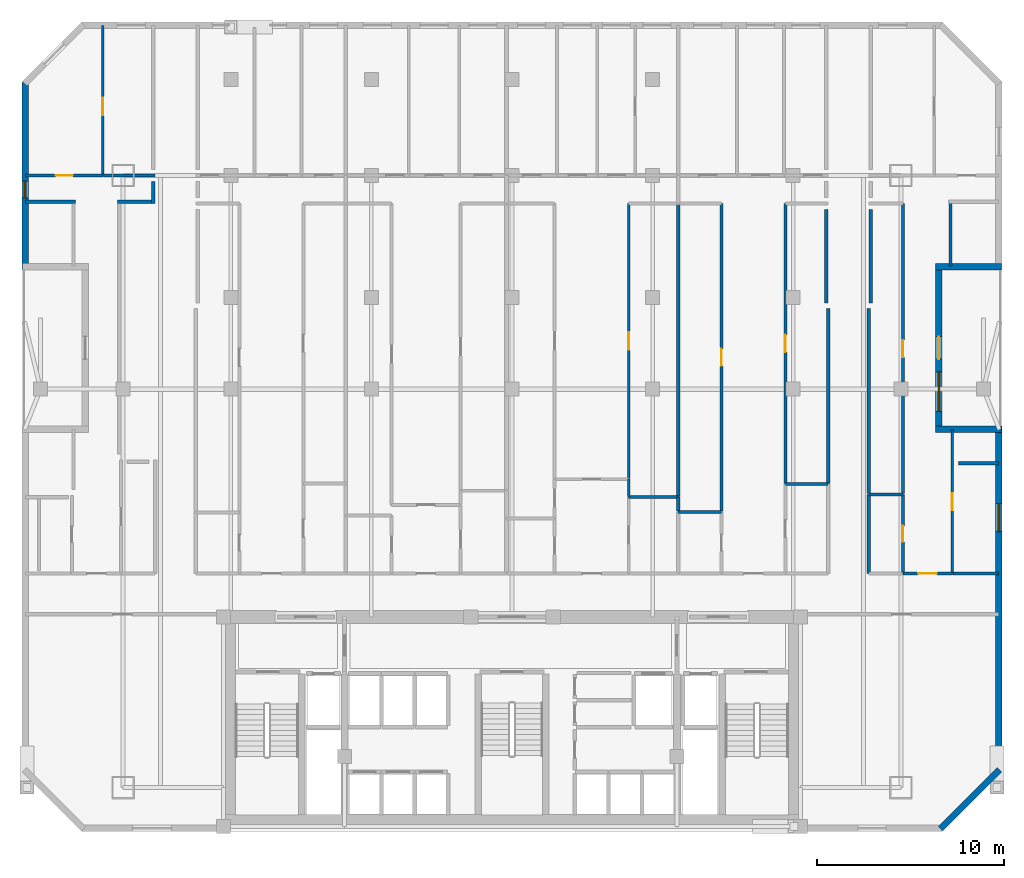
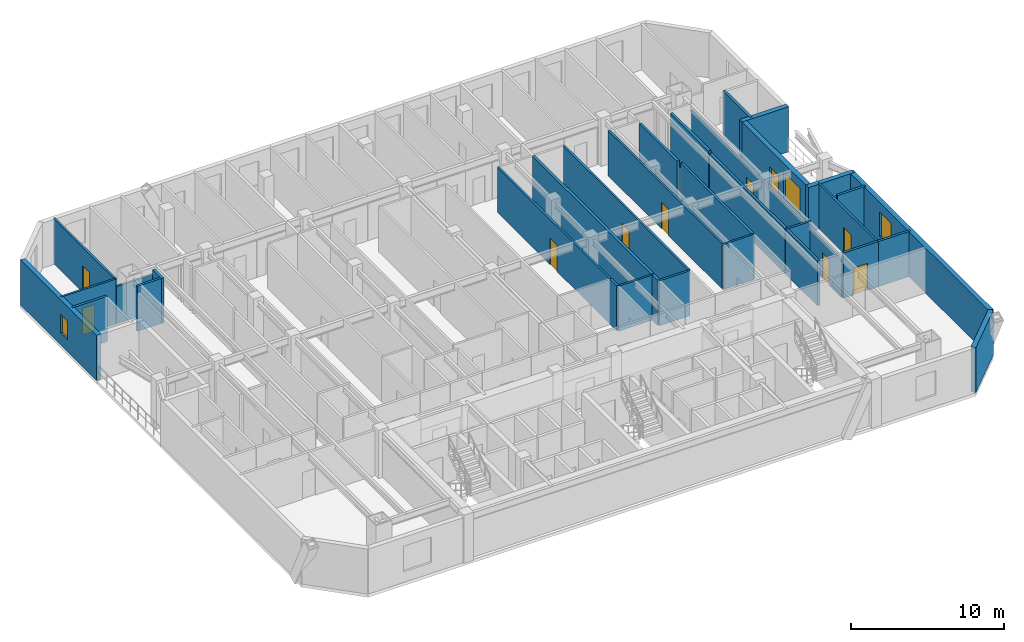
# One storey, part 6 of 11: 34 walls, 10 doors, 3 windows, 13 openings.
"""IFC4 building model written with IfcOpenShell, lengths in metres."""

from ifc_helpers import new_model, si_unit, direction, frame, frame_2d, origin, place, context, subcontext, project, spatial, rectangle, extrude, material, layer, layer_set, type_object, element, fill, save


model = new_model("IFC4")

# Units and contexts
model_context = context("Model", 3, precision=1e-05, world=origin(), true_north=direction((0.0, 1.0)))
body_context = subcontext(model_context, "Body", "Model", "MODEL_VIEW")
ifc_project = project(units=[si_unit("LENGTHUNIT", "METRE"), si_unit("AREAUNIT", "SQUARE_METRE"), si_unit("VOLUMEUNIT", "CUBIC_METRE"), si_unit("PLANEANGLEUNIT", "RADIAN"), si_unit("MASSUNIT", "GRAM", prefix="KILO")], contexts=[model_context])

# Site, building, storey
site_placement = place(None, origin())
site = spatial("IfcSite", under=ifc_project, at=site_placement, CompositionType="ELEMENT")
building_placement = place(site_placement, origin())
building = spatial("IfcBuilding", under=site, at=building_placement, Name="Ventersveld Concourse Tower", CompositionType="ELEMENT")
storey_placement = place(building_placement, frame((0.0, 0.0, 119.550048828125)))
storey = spatial("IfcBuildingStorey", under=building, at=storey_placement, Name="L29", CompositionType="ELEMENT", Elevation=119.550048828125)

# Wall, opening, door
ifc_material_1 = material(Name="Fire-rated autoclaved aerated masonry blockwork", Category="masonry")
ifc_layer_1 = layer(ifc_material_1, 0.179931640625)
ifc_layer_set_1 = layer_set([ifc_layer_1], Name="Fire-rated autoclaved aerated masonry blockwork")
wall_type_1 = type_object("IfcWallType", Name="WL-CORR-180", PredefinedType="PARTITIONING", material=ifc_layer_set_1)
wall_1_placement = place(storey_placement, frame((49.599365234375, 13.77001953125, 0.0), z_axis=(0.0, 0.0, 1.0), x_axis=(1.0, 0.0, 0.0)))
wall_1 = element("IfcWall", 1, at=wall_1_placement, inside=storey, type_object=wall_type_1, Name="L29 Interior Partition SP-L29-COR-SP-L29-29NE-LIV", PredefinedType="PARTITIONING", context=body_context, shape_type="SweptSolid", body=[
    extrude(rectangle(XDim=2.635986328125, YDim=0.179931640625, at=frame_2d((1.31787109375, 0.0))), origin(), (0.0, 0.0, 1.0), 3.599853515625),
])
opening_1_placement = place(wall_1_placement, frame((0.818115234375, 0.0, 0.0)))
opening_1 = element("IfcOpeningElement", 2, at=opening_1_placement, cuts=wall_1, Name="Opening FD3", PredefinedType="OPENING", context=body_context, shape_type="SweptSolid", body=[
    extrude(rectangle(XDim=1.0, YDim=2.14990234375, at=frame_2d((0.5, 1.074951171875))), frame((0.0, 0.10009765625, 0.0), z_axis=(0.0, -1.0, 0.0), x_axis=(1.0, 0.0, 0.0)), (0.0, 0.0, 1.0), 0.199951171875),
])
ifc_material_2 = material(Name="Solid-core hardwood veneer timber", Category="wood")
door_type_1 = type_object("IfcDoorType", Name="DR-FLAT-100", OperationType="NOTDEFINED", PredefinedType="DOOR", material=ifc_material_2)
door_1_placement = place(opening_1_placement, origin())
door_1 = element("IfcDoor", 3, at=door_1_placement, inside=storey, type_object=door_type_1, Name="L29 Interior Door SP-L29-COR to SP-L29-29NE-LIV (FD-L29-1433)", OperationType="SINGLE_SWING_LEFT", OverallHeight=2.14990234375, OverallWidth=1.0, PredefinedType="DOOR", context=body_context, shape_type="SweptSolid", body=[
    extrude(rectangle(XDim=1.0, YDim=2.14990234375, at=frame_2d((0.5, 1.074951171875))), frame((0.0, 0.02490234375, 0.0), z_axis=(0.0, -1.0, 0.0), x_axis=(1.0, 0.0, 0.0)), (0.0, 0.0, 1.0), 0.050048828125),
])
fill(opening_1, door_1)

# Walls
wall_2_placement = place(storey_placement, frame((47.7900390625, 13.764892578125, 0.0), z_axis=(0.0, 0.0, 1.0), x_axis=(0.0, 1.0, 0.0)))
element("IfcWall", 4, at=wall_2_placement, inside=storey, type_object=wall_type_1, Name="L29 Interior Partition SP-L29-COR-SP-L29-29NE-BATH", PredefinedType="PARTITIONING", context=body_context, shape_type="SweptSolid", body=[
    extrude(rectangle(XDim=4.228515625, YDim=0.179931640625, at=frame_2d((2.1142578125, 0.0))), origin(), (0.0, 0.0, 1.0), 3.599853515625),
])
wall_3_placement = place(storey_placement, frame((47.7900390625, 18.0234375, 0.0), z_axis=(0.0, 0.0, 1.0), x_axis=(0.0, 1.0, 0.0)))
element("IfcWall", 5, at=wall_3_placement, inside=storey, type_object=wall_type_1, Name="L29 Interior Partition SP-L29-COR-SP-L29-29NE-OFFL0", PredefinedType="PARTITIONING", context=body_context, shape_type="SweptSolid", body=[
    extrude(rectangle(XDim=9.87158203125, YDim=0.179931640625, at=frame_2d((4.935791015625, 0.0))), origin(), (0.0, 0.0, 1.0), 3.599853515625),
])
wall_4_placement = place(storey_placement, frame((52.265380859375, 13.77001953125, 0.0), z_axis=(0.0, 0.0, 1.0), x_axis=(1.0, 0.0, 0.0)))
element("IfcWall", 6, at=wall_4_placement, inside=storey, type_object=wall_type_1, Name="L29 Interior Partition SP-L29-COR-SP-L29-29NE-KIT", PredefinedType="PARTITIONING", context=body_context, shape_type="SweptSolid", body=[
    extrude(rectangle(XDim=2.424560546875, YDim=0.179931640625, at=frame_2d((1.21240234375, 0.0))), origin(), (0.0, 0.0, 1.0), 3.599853515625),
])
wall_5_placement = place(storey_placement, frame((45.610107421875, 18.5732421875, 0.0), z_axis=(0.0, 0.0, 1.0), x_axis=(0.0, 1.0, 0.0)))
element("IfcWall", 7, at=wall_5_placement, inside=storey, type_object=wall_type_1, Name="L29 Interior Partition SP-L29-COR-SP-L29-29N4-DENR", PredefinedType="PARTITIONING", context=body_context, shape_type="SweptSolid", body=[
    extrude(rectangle(XDim=9.32177734375, YDim=0.179931640625, at=frame_2d((4.660888671875, 0.0))), origin(), (0.0, 0.0, 1.0), 3.599853515625),
])
wall_6_placement = place(storey_placement, frame((5.45458984375, 33.590087890625, 0.0), z_axis=(0.0, 0.0, 1.0), x_axis=(-1.0, 0.0, 0.0)))
element("IfcWall", 8, at=wall_6_placement, inside=storey, type_object=wall_type_1, Name="L29 Room Enclosure Wall SP-L29-29NW-LIV", PredefinedType="PARTITIONING", context=body_context, shape_type="SweptSolid", body=[
    extrude(rectangle(XDim=2.64453125, YDim=0.179931640625, at=frame_2d((1.322265625, 0.0))), origin(), (0.0, 0.0, 1.0), 3.599853515625),
])
wall_7_placement = place(storey_placement, frame((9.6201171875, 34.675048828125, 0.0), z_axis=(0.0, 0.0, 1.0), x_axis=(0.0, -1.0, 0.0)))
element("IfcWall", 9, at=wall_7_placement, inside=storey, type_object=wall_type_1, Name="L29 Room Enclosure Wall SP-L29-29NW-LIV", PredefinedType="PARTITIONING", context=body_context, shape_type="SweptSolid", body=[
    extrude(rectangle(XDim=1.179931640625, YDim=0.179931640625, at=frame_2d((0.58984375, 0.0))), origin(), (0.0, 0.0, 1.0), 3.599853515625),
])
wall_8_placement = place(storey_placement, frame((9.715087890625, 33.590087890625, 0.0), z_axis=(0.0, 0.0, 1.0), x_axis=(-1.0, 0.0, 0.0)))
element("IfcWall", 10, at=wall_8_placement, inside=storey, type_object=wall_type_1, Name="L29 Room Enclosure Wall SP-L29-29NW-LIV", PredefinedType="PARTITIONING", context=body_context, shape_type="SweptSolid", body=[
    extrude(rectangle(XDim=2.00439453125, YDim=0.179931640625, at=frame_2d((1.002197265625, 0.0))), origin(), (0.0, 0.0, 1.0), 3.599853515625),
])
wall_9_placement = place(storey_placement, frame((52.140380859375, 33.68505859375, 0.0), z_axis=(0.0, 0.0, 1.0), x_axis=(0.0, -1.0, 0.0)))
element("IfcWall", 11, at=wall_9_placement, inside=storey, type_object=wall_type_1, Name="L29 Room Enclosure Wall SP-L29-29NE-LIV", PredefinedType="PARTITIONING", context=body_context, shape_type="SweptSolid", body=[
    extrude(rectangle(XDim=3.525146484375, YDim=0.179931640625, at=frame_2d((1.7626953125, 0.0))), origin(), (0.0, 0.0, 1.0), 3.599853515625),
])
wall_10_placement = place(storey_placement, frame((47.8798828125, 28.2099609375, 0.0), z_axis=(0.0, 0.0, 1.0), x_axis=(0.0, 1.0, 0.0)))
element("IfcWall", 12, at=wall_10_placement, inside=storey, type_object=wall_type_1, Name="L29 Room Enclosure Wall SP-L29-29NE-OFFL0", PredefinedType="PARTITIONING", context=body_context, shape_type="SweptSolid", body=[
    extrude(rectangle(XDim=4.965087890625, YDim=0.179931640625, at=frame_2d((2.482421875, 0.0))), origin(), (0.0, 0.0, 1.0), 3.599853515625),
])
wall_11_placement = place(storey_placement, frame((52.555419921875, 19.644287109375, 0.0), z_axis=(0.0, 0.0, 1.0), x_axis=(1.0, 0.0, 0.0)))
element("IfcWall", 13, at=wall_11_placement, inside=storey, type_object=wall_type_1, Name="L29 Room Enclosure Wall SP-L29-29NE-KIT", PredefinedType="PARTITIONING", context=body_context, shape_type="SweptSolid", body=[
    extrude(rectangle(XDim=2.134521484375, YDim=0.179931640625, at=frame_2d((1.0673828125, 0.0))), origin(), (0.0, 0.0, 1.0), 3.599853515625),
])
wall_12_placement = place(storey_placement, frame((45.52001953125, 33.175048828125, 0.0), z_axis=(0.0, 0.0, 1.0), x_axis=(0.0, -1.0, 0.0)))
element("IfcWall", 14, at=wall_12_placement, inside=storey, type_object=wall_type_1, Name="L29 Room Enclosure Wall SP-L29-29N4-DENR", PredefinedType="PARTITIONING", context=body_context, shape_type="SweptSolid", body=[
    extrude(rectangle(XDim=4.965087890625, YDim=0.179931640625, at=frame_2d((2.482421875, 0.0))), origin(), (0.0, 0.0, 1.0), 3.599853515625),
])
ifc_layer_2 = layer(ifc_material_1, 0.199951171875)
ifc_layer_set_2 = layer_set([ifc_layer_2], Name="Fire-rated autoclaved aerated masonry blockwork")
wall_type_2 = type_object("IfcWallType", Name="WL-DEMISE-200", PredefinedType="PARTITIONING", material=ifc_layer_set_2)
wall_13_placement = place(storey_placement, frame((37.620849609375, 17.09130859375, 0.0), z_axis=(0.0, 0.0, 1.0), x_axis=(0.0, 1.0, 0.0)))
element("IfcWall", 15, at=wall_13_placement, inside=storey, type_object=wall_type_2, Name="L29 Interior Partition SP-L29-29N3-KIT-SP-L29-29N4-DENL", PredefinedType="PARTITIONING", context=body_context, shape_type="SweptSolid", body=[
    extrude(rectangle(XDim=0.760986328125, YDim=0.199951171875, at=frame_2d((0.38037109375, 0.0))), origin(), (0.0, 0.0, 1.0), 3.599853515625),
])
wall_14_placement = place(storey_placement, frame((37.620849609375, 17.88232421875, 0.0), z_axis=(0.0, 0.0, 1.0), x_axis=(0.0, 1.0, 0.0)))
element("IfcWall", 16, at=wall_14_placement, inside=storey, type_object=wall_type_2, Name="L29 Interior Partition SP-L29-29N3-DENR-SP-L29-29N4-DENL", PredefinedType="PARTITIONING", context=body_context, shape_type="SweptSolid", body=[
    extrude(rectangle(XDim=15.582763671875, YDim=0.199951171875, at=frame_2d((7.79150390625, 0.0))), origin(), (0.0, 0.0, 1.0), 3.599853515625),
])

# Wall, opening, door
ifc_material_3 = material(Name="Autoclaved aerated masonry blockwork", Category="masonry")
ifc_layer_3 = layer(ifc_material_3, 0.14990234375)
ifc_layer_set_3 = layer_set([ifc_layer_3], Name="Autoclaved aerated masonry blockwork")
wall_type_3 = type_object("IfcWallType", Name="WL-INT-150", PredefinedType="PARTITIONING", material=ifc_layer_set_3)
wall_15_placement = place(storey_placement, frame((2.81005859375, 35.0, 0.0), z_axis=(0.0, 0.0, 1.0), x_axis=(1.0, 0.0, 0.0)))
wall_15 = element("IfcWall", 17, at=wall_15_placement, inside=storey, type_object=wall_type_3, Name="L29 Interior Partition SP-L29-29NW-LIV-SP-L29-29NW-BR1", PredefinedType="PARTITIONING", context=body_context, shape_type="SweptSolid", body=[
    extrude(rectangle(XDim=4.113037109375, YDim=0.14990234375, at=frame_2d((2.056640625, 0.0))), origin(), (0.0, 0.0, 1.0), 3.599853515625),
])
opening_2_placement = place(wall_15_placement, frame((1.5966796875, 0.0, 0.0)))
opening_2 = element("IfcOpeningElement", 18, at=opening_2_placement, cuts=wall_15, Name="Opening ID1", PredefinedType="OPENING", context=body_context, shape_type="SweptSolid", body=[
    extrude(rectangle(XDim=0.919921875, YDim=2.10009765625, at=frame_2d((0.4599609375, 1.050048828125))), frame((0.0, 0.0849609375, 0.0), z_axis=(0.0, -1.0, 0.0), x_axis=(1.0, 0.0, 0.0)), (0.0, 0.0, 1.0), 0.169921875),
])
door_type_2 = type_object("IfcDoorType", Name="DR-ROOM-092", OperationType="NOTDEFINED", PredefinedType="DOOR", material=ifc_material_2)
door_2_placement = place(opening_2_placement, origin())
door_2 = element("IfcDoor", 19, at=door_2_placement, inside=storey, type_object=door_type_2, Name="L29 Interior Door SP-L29-29NW-LIV to SP-L29-29NW-BR1 (D-L29-1440)", OperationType="SINGLE_SWING_RIGHT", OverallHeight=2.10009765625, OverallWidth=0.919921875, PredefinedType="DOOR", context=body_context, shape_type="SweptSolid", body=[
    extrude(rectangle(XDim=0.919921875, YDim=2.10009765625, at=frame_2d((0.4599609375, 1.050048828125))), frame((0.0, 0.02490234375, 0.0), z_axis=(0.0, -1.0, 0.0), x_axis=(1.0, 0.0, 0.0)), (0.0, 0.0, 1.0), 0.050048828125),
])
fill(opening_2, door_2)

# Wall
wall_16_placement = place(storey_placement, frame((6.953125, 35.0, 0.0), z_axis=(0.0, 0.0, 1.0), x_axis=(1.0, 0.0, 0.0)))
element("IfcWall", 20, at=wall_16_placement, inside=storey, type_object=wall_type_3, Name="L29 Interior Partition SP-L29-29NW-LIV-SP-L29-29NW-BR2", PredefinedType="PARTITIONING", context=body_context, shape_type="SweptSolid", body=[
    extrude(rectangle(XDim=2.761962890625, YDim=0.14990234375, at=frame_2d((1.380859375, 0.0))), origin(), (0.0, 0.0, 1.0), 2.982666015625),
])

# Wall, opening, door
wall_17_placement = place(storey_placement, frame((6.918212890625, 34.9951171875, 0.0), z_axis=(0.0, 0.0, 1.0), x_axis=(0.0, 1.0, 0.0)))
wall_17 = element("IfcWall", 21, at=wall_17_placement, inside=storey, type_object=wall_type_3, Name="L29 Interior Partition SP-L29-29NW-BR1-SP-L29-29NW-BR2", PredefinedType="PARTITIONING", context=body_context, shape_type="SweptSolid", body=[
    extrude(rectangle(XDim=7.994873046875, YDim=0.14990234375, at=frame_2d((3.99755859375, 0.0))), origin(), (0.0, 0.0, 1.0), 3.599853515625),
])
opening_3_placement = place(wall_17_placement, frame((3.22998046875, 0.0, 0.0)))
opening_3 = element("IfcOpeningElement", 22, at=opening_3_placement, cuts=wall_17, Name="Opening ID1", PredefinedType="OPENING", context=body_context, shape_type="SweptSolid", body=[
    extrude(rectangle(XDim=0.919921875, YDim=2.10009765625, at=frame_2d((0.4599609375, 1.050048828125))), frame((0.0, 0.0849609375, 0.0), z_axis=(0.0, -1.0, 0.0), x_axis=(1.0, 0.0, 0.0)), (0.0, 0.0, 1.0), 0.169921875),
])
door_3_placement = place(opening_3_placement, origin())
door_3 = element("IfcDoor", 23, at=door_3_placement, inside=storey, type_object=door_type_2, Name="L29 Interior Door Flat 29NW Bedroom 2 (D-L29-1479)", OperationType="SINGLE_SWING_RIGHT", OverallHeight=2.10009765625, OverallWidth=0.919921875, PredefinedType="DOOR", context=body_context, shape_type="SweptSolid", body=[
    extrude(rectangle(XDim=0.919921875, YDim=2.10009765625, at=frame_2d((0.4599609375, 1.050048828125))), frame((0.0, 0.02490234375, 0.0), z_axis=(0.0, -1.0, 0.0), x_axis=(1.0, 0.0, 0.0)), (0.0, 0.0, 1.0), 0.050048828125),
])
fill(opening_3, door_3)

wall_18_placement = place(storey_placement, frame((49.604248046875, 18.0234375, 0.0), z_axis=(0.0, 0.0, 1.0), x_axis=(0.0, 1.0, 0.0)))
wall_18 = element("IfcWall", 24, at=wall_18_placement, inside=storey, type_object=wall_type_3, Name="L29 Interior Partition SP-L29-29NE-LIV-SP-L29-29NE-OFFL0", PredefinedType="PARTITIONING", context=body_context, shape_type="SweptSolid", body=[
    extrude(rectangle(XDim=15.4814453125, YDim=0.14990234375, at=frame_2d((7.74072265625, 0.0))), origin(), (0.0, 0.0, 1.0), 3.055419921875),
])
opening_4_placement = place(wall_18_placement, frame((7.28076171875, 0.0, 0.0)))
opening_4 = element("IfcOpeningElement", 25, at=opening_4_placement, cuts=wall_18, Name="Opening ID1", PredefinedType="OPENING", context=body_context, shape_type="SweptSolid", body=[
    extrude(rectangle(XDim=0.919921875, YDim=2.10009765625, at=frame_2d((0.4599609375, 1.050048828125))), frame((0.0, 0.0849609375, 0.0), z_axis=(0.0, -1.0, 0.0), x_axis=(1.0, 0.0, 0.0)), (0.0, 0.0, 1.0), 0.169921875),
])
door_4_placement = place(opening_4_placement, origin())
door_4 = element("IfcDoor", 26, at=door_4_placement, inside=storey, type_object=door_type_2, Name="L29 Interior Door SP-L29-29NE-LIV to SP-L29-29NE-OFFL0 (D-L29-1443)", OperationType="SINGLE_SWING_LEFT", OverallHeight=2.10009765625, OverallWidth=0.919921875, PredefinedType="DOOR", context=body_context, shape_type="SweptSolid", body=[
    extrude(rectangle(XDim=0.919921875, YDim=2.10009765625, at=frame_2d((0.4599609375, 1.050048828125))), frame((0.0, 0.02490234375, 0.0), z_axis=(0.0, -1.0, 0.0), x_axis=(1.0, 0.0, 0.0)), (0.0, 0.0, 1.0), 0.050048828125),
])
fill(opening_4, door_4)

wall_19_placement = place(storey_placement, frame((52.230224609375, 13.764892578125, 0.0), z_axis=(0.0, 0.0, 1.0), x_axis=(0.0, 1.0, 0.0)))
wall_19 = element("IfcWall", 27, at=wall_19_placement, inside=storey, type_object=wall_type_3, Name="L29 Interior Partition SP-L29-29NE-LIV-SP-L29-29NE-KIT", PredefinedType="PARTITIONING", context=body_context, shape_type="SweptSolid", body=[
    extrude(rectangle(XDim=7.675048828125, YDim=0.14990234375, at=frame_2d((3.83740234375, 0.0))), origin(), (0.0, 0.0, 1.0), 3.599853515625),
])
opening_5_placement = place(wall_19_placement, frame((3.37744140625, 0.0, 0.0)))
opening_5 = element("IfcOpeningElement", 28, at=opening_5_placement, cuts=wall_19, Name="Opening ID1", PredefinedType="OPENING", context=body_context, shape_type="SweptSolid", body=[
    extrude(rectangle(XDim=0.919921875, YDim=2.10009765625, at=frame_2d((0.4599609375, 1.050048828125))), frame((0.0, 0.0849609375, 0.0), z_axis=(0.0, -1.0, 0.0), x_axis=(1.0, 0.0, 0.0)), (0.0, 0.0, 1.0), 0.169921875),
])
door_5_placement = place(opening_5_placement, origin())
door_5 = element("IfcDoor", 29, at=door_5_placement, inside=storey, type_object=door_type_2, Name="L29 Interior Door SP-L29-29NE-LIV to SP-L29-29NE-KIT (D-L29-1444)", OperationType="SINGLE_SWING_RIGHT", OverallHeight=2.10009765625, OverallWidth=0.919921875, PredefinedType="DOOR", context=body_context, shape_type="SweptSolid", body=[
    extrude(rectangle(XDim=0.919921875, YDim=2.10009765625, at=frame_2d((0.4599609375, 1.050048828125))), frame((0.0, 0.02490234375, 0.0), z_axis=(0.0, -1.0, 0.0), x_axis=(1.0, 0.0, 0.0)), (0.0, 0.0, 1.0), 0.050048828125),
])
fill(opening_5, door_5)

# Wall
wall_20_placement = place(storey_placement, frame((34.9775390625, 17.88232421875, 0.0), z_axis=(0.0, 0.0, 1.0), x_axis=(0.0, 1.0, 0.0)))
element("IfcWall", 30, at=wall_20_placement, inside=storey, type_object=wall_type_3, Name="L29 Interior Partition SP-L29-29N3-FOY-SP-L29-29N3-DENR", PredefinedType="PARTITIONING", context=body_context, shape_type="SweptSolid", body=[
    extrude(rectangle(XDim=0.923095703125, YDim=0.14990234375, at=frame_2d((0.46142578125, 0.0))), origin(), (0.0, 0.0, 1.0), 3.599853515625),
])

# Wall, opening, door
wall_21_placement = place(storey_placement, frame((34.9775390625, 18.83544921875, 0.0), z_axis=(0.0, 0.0, 1.0), x_axis=(0.0, 1.0, 0.0)))
wall_21 = element("IfcWall", 31, at=wall_21_placement, inside=storey, type_object=wall_type_3, Name="L29 Interior Partition SP-L29-29N3-LIV-SP-L29-29N3-DENR", PredefinedType="PARTITIONING", context=body_context, shape_type="SweptSolid", body=[
    extrude(rectangle(XDim=14.66943359375, YDim=0.14990234375, at=frame_2d((7.334716796875, 0.0))), origin(), (0.0, 0.0, 1.0), 3.599853515625),
])
opening_6_placement = place(wall_21_placement, frame((6.874755859375, 0.0, 0.0)))
opening_6 = element("IfcOpeningElement", 32, at=opening_6_placement, cuts=wall_21, Name="Opening ID1", PredefinedType="OPENING", context=body_context, shape_type="SweptSolid", body=[
    extrude(rectangle(XDim=0.919921875, YDim=2.10009765625, at=frame_2d((0.4599609375, 1.050048828125))), frame((0.0, 0.0849609375, 0.0), z_axis=(0.0, -1.0, 0.0), x_axis=(1.0, 0.0, 0.0)), (0.0, 0.0, 1.0), 0.169921875),
])
door_6_placement = place(opening_6_placement, origin())
door_6 = element("IfcDoor", 33, at=door_6_placement, inside=storey, type_object=door_type_2, Name="L29 Interior Door SP-L29-29N3-LIV to SP-L29-29N3-DENR (D-L29-1467)", OperationType="SINGLE_SWING_LEFT", OverallHeight=2.10009765625, OverallWidth=0.919921875, PredefinedType="DOOR", context=body_context, shape_type="SweptSolid", body=[
    extrude(rectangle(XDim=0.919921875, YDim=2.10009765625, at=frame_2d((0.4599609375, 1.050048828125))), frame((0.0, 0.02490234375, 0.0), z_axis=(0.0, -1.0, 0.0), x_axis=(1.0, 0.0, 0.0)), (0.0, 0.0, 1.0), 0.050048828125),
])
fill(opening_6, door_6)

# Wall
wall_22_placement = place(storey_placement, frame((34.97265625, 17.847412109375, 0.0), z_axis=(0.0, 0.0, 1.0), x_axis=(1.0, 0.0, 0.0)))
element("IfcWall", 34, at=wall_22_placement, inside=storey, type_object=wall_type_3, Name="L29 Interior Partition SP-L29-29N3-KIT-SP-L29-29N3-DENR", PredefinedType="PARTITIONING", context=body_context, shape_type="SweptSolid", body=[
    extrude(rectangle(XDim=2.653076171875, YDim=0.14990234375, at=frame_2d((1.32666015625, 0.0))), origin(), (0.0, 0.0, 1.0), 3.599853515625),
])

# Wall, opening, door
wall_23_placement = place(storey_placement, frame((39.925537109375, 17.09130859375, 0.0), z_axis=(0.0, 0.0, 1.0), x_axis=(0.0, 1.0, 0.0)))
wall_23 = element("IfcWall", 35, at=wall_23_placement, inside=storey, type_object=wall_type_3, Name="L29 Interior Partition SP-L29-29N4-LIV-SP-L29-29N4-DENL", PredefinedType="PARTITIONING", context=body_context, shape_type="SweptSolid", body=[
    extrude(rectangle(XDim=16.41357421875, YDim=0.14990234375, at=frame_2d((8.206787109375, 0.0))), origin(), (0.0, 0.0, 1.0), 3.599853515625),
])
opening_7_placement = place(wall_23_placement, frame((7.746826171875, 0.0, 0.0)))
opening_7 = element("IfcOpeningElement", 36, at=opening_7_placement, cuts=wall_23, Name="Opening ID1", PredefinedType="OPENING", context=body_context, shape_type="SweptSolid", body=[
    extrude(rectangle(XDim=0.919921875, YDim=2.10009765625, at=frame_2d((0.4599609375, 1.050048828125))), frame((0.0, 0.0849609375, 0.0), z_axis=(0.0, -1.0, 0.0), x_axis=(1.0, 0.0, 0.0)), (0.0, 0.0, 1.0), 0.169921875),
])
door_7_placement = place(opening_7_placement, origin())
door_7 = element("IfcDoor", 37, at=door_7_placement, inside=storey, type_object=door_type_2, Name="L29 Interior Door SP-L29-29N4-LIV to SP-L29-29N4-DENL (D-L29-1473)", OperationType="SINGLE_SWING_LEFT", OverallHeight=2.10009765625, OverallWidth=0.919921875, PredefinedType="DOOR", context=body_context, shape_type="SweptSolid", body=[
    extrude(rectangle(XDim=0.919921875, YDim=2.10009765625, at=frame_2d((0.4599609375, 1.050048828125))), frame((0.0, 0.02490234375, 0.0), z_axis=(0.0, -1.0, 0.0), x_axis=(1.0, 0.0, 0.0)), (0.0, 0.0, 1.0), 0.050048828125),
])
fill(opening_7, door_7)

wall_24_placement = place(storey_placement, frame((43.337646484375, 18.5732421875, 0.0), z_axis=(0.0, 0.0, 1.0), x_axis=(0.0, 1.0, 0.0)))
wall_24 = element("IfcWall", 38, at=wall_24_placement, inside=storey, type_object=wall_type_3, Name="L29 Interior Partition SP-L29-29N4-LIV-SP-L29-29N4-DENR", PredefinedType="PARTITIONING", context=body_context, shape_type="SweptSolid", body=[
    extrude(rectangle(XDim=14.931640625, YDim=0.14990234375, at=frame_2d((7.4658203125, 0.0))), origin(), (0.0, 0.0, 1.0), 3.599853515625),
])
opening_8_placement = place(wall_24_placement, frame((7.005859375, 0.0, 0.0)))
opening_8 = element("IfcOpeningElement", 39, at=opening_8_placement, cuts=wall_24, Name="Opening ID1", PredefinedType="OPENING", context=body_context, shape_type="SweptSolid", body=[
    extrude(rectangle(XDim=0.919921875, YDim=2.10009765625, at=frame_2d((0.4599609375, 1.050048828125))), frame((0.0, 0.0849609375, 0.0), z_axis=(0.0, -1.0, 0.0), x_axis=(1.0, 0.0, 0.0)), (0.0, 0.0, 1.0), 0.169921875),
])
door_8_placement = place(opening_8_placement, origin())
door_8 = element("IfcDoor", 40, at=door_8_placement, inside=storey, type_object=door_type_2, Name="L29 Interior Door SP-L29-29N4-LIV to SP-L29-29N4-DENR (D-L29-1475)", OperationType="SINGLE_SWING_LEFT", OverallHeight=2.10009765625, OverallWidth=0.919921875, PredefinedType="DOOR", context=body_context, shape_type="SweptSolid", body=[
    extrude(rectangle(XDim=0.919921875, YDim=2.10009765625, at=frame_2d((0.4599609375, 1.050048828125))), frame((0.0, 0.02490234375, 0.0), z_axis=(0.0, -1.0, 0.0), x_axis=(1.0, 0.0, 0.0)), (0.0, 0.0, 1.0), 0.050048828125),
])
fill(opening_8, door_8)

# Walls
wall_25_placement = place(storey_placement, frame((43.332763671875, 18.538330078125, 0.0), z_axis=(0.0, 0.0, 1.0), x_axis=(1.0, 0.0, 0.0)))
element("IfcWall", 41, at=wall_25_placement, inside=storey, type_object=wall_type_3, Name="L29 Interior Partition SP-L29-29N4-KIT-SP-L29-29N4-DENR", PredefinedType="PARTITIONING", context=body_context, shape_type="SweptSolid", body=[
    extrude(rectangle(XDim=2.2822265625, YDim=0.14990234375, at=frame_2d((1.14111328125, 0.0))), origin(), (0.0, 0.0, 1.0), 3.599853515625),
])
ifc_material_4 = material(Name="Precast concrete C45/55", Category="concrete")
ifc_layer_4 = layer(ifc_material_4, 0.35009765625)
ifc_layer_set_4 = layer_set([ifc_layer_4], Name="Precast concrete C45/55")
wall_type_4 = type_object("IfcWallType", Name="WL-PREC-350", PredefinedType="SOLIDWALL", material=ifc_layer_set_4)
wall_26_placement = place(storey_placement, frame((51.6044921875, 0.152099609375, 0.0), z_axis=(0.0, 0.0, 1.0), x_axis=(0.707134240044, 0.707079321262, 0.0)))
element("IfcWall", 42, at=wall_26_placement, inside=storey, type_object=wall_type_4, Name="L29 Highveld Precast Facade Wall E02", PredefinedType="SOLIDWALL", context=body_context, shape_type="SweptSolid", body=[
    extrude(rectangle(XDim=4.445556640625, YDim=0.35009765625, at=frame_2d((2.22265625, 0.0))), origin(), (0.0, 0.0, 1.0), 3.599853515625),
])

# Wall, opening, window
wall_27_placement = place(storey_placement, frame((54.72509765625, 3.239990234375, 0.0), z_axis=(0.0, 0.0, 1.0), x_axis=(0.0, 1.0, 0.0)))
wall_27 = element("IfcWall", 43, at=wall_27_placement, inside=storey, type_object=wall_type_4, Name="L29 Highveld Precast Facade Wall E03", PredefinedType="SOLIDWALL", context=body_context, shape_type="SweptSolid", body=[
    extrude(rectangle(XDim=18.3701171875, YDim=0.35009765625, at=frame_2d((9.18505859375, 0.0))), origin(), (0.0, 0.0, 1.0), 3.599853515625),
])
opening_9_placement = place(wall_27_placement, frame((12.76220703125, 0.0, 0.89990234375)))
opening_9 = element("IfcOpeningElement", 44, at=opening_9_placement, cuts=wall_27, Name="Opening W1", PredefinedType="OPENING", context=body_context, shape_type="SweptSolid", body=[
    extrude(rectangle(XDim=1.5, YDim=1.949951171875, at=frame_2d((0.75, 0.97509765625))), frame((0.0, 0.18505859375, 0.0), z_axis=(0.0, -1.0, 0.0), x_axis=(1.0, 0.0, 0.0)), (0.0, 0.0, 1.0), 0.3701171875),
])
ifc_material_5 = material(Name="Tempered acoustic Low-E IGU", Category="glass")
window_type_1 = type_object("IfcWindowType", Name="WIN-150x210", PartitioningType="SINGLE_PANEL", PredefinedType="WINDOW", material=ifc_material_5)
window_1_placement = place(opening_9_placement, origin())
window_1 = element("IfcWindow", 45, at=window_1_placement, inside=storey, type_object=window_type_1, Name="L29 Punched Low-E Window W-0361", OverallHeight=1.949951171875, OverallWidth=1.5, PartitioningType="SINGLE_PANEL", PredefinedType="WINDOW", context=body_context, shape_type="SweptSolid", body=[
    extrude(rectangle(XDim=1.5, YDim=1.949951171875, at=frame_2d((0.75, 0.97509765625))), frame((0.0, 0.030029296875, 0.0), z_axis=(0.0, -1.0, 0.0), x_axis=(1.0, 0.0, 0.0)), (0.0, 0.0, 1.0), 0.06005859375),
])
fill(opening_9, window_1)

# Wall
wall_28_placement = place(storey_placement, frame((54.860107421875, 21.47509765625, 0.0), z_axis=(0.0, 0.0, 1.0), x_axis=(-1.0, 0.0, 0.0)))
element("IfcWall", 46, at=wall_28_placement, inside=storey, type_object=wall_type_4, Name="L29 Highveld Precast Facade Wall E04", PredefinedType="SOLIDWALL", context=body_context, shape_type="SweptSolid", body=[
    extrude(rectangle(XDim=3.510009765625, YDim=0.35009765625, at=frame_2d((1.7548828125, 0.0))), origin(), (0.0, 0.0, 1.0), 3.599853515625),
])

# Wall, openings, door, window
wall_29_placement = place(storey_placement, frame((51.52490234375, 21.64990234375, 0.0), z_axis=(0.0, 0.0, 1.0), x_axis=(0.0, 1.0, 0.0)))
wall_29 = element("IfcWall", 47, at=wall_29_placement, inside=storey, type_object=wall_type_4, Name="L29 Highveld Precast Facade Wall E05", PredefinedType="SOLIDWALL", context=body_context, shape_type="SweptSolid", body=[
    extrude(rectangle(XDim=8.300048828125, YDim=0.35009765625, at=frame_2d((4.14990234375, 0.0))), origin(), (0.0, 0.0, 1.0), 3.599853515625),
])
opening_10_placement = place(wall_29_placement, frame((3.550048828125, 0.0, 0.0)))
opening_10 = element("IfcOpeningElement", 48, at=opening_10_placement, cuts=wall_29, Name="Opening TD1", PredefinedType="OPENING", context=body_context, shape_type="SweptSolid", body=[
    extrude(rectangle(XDim=1.199951171875, YDim=2.199951171875, at=frame_2d((0.60009765625, 1.10009765625))), frame((0.0, 0.18505859375, 0.0), z_axis=(0.0, -1.0, 0.0), x_axis=(1.0, 0.0, 0.0)), (0.0, 0.0, 1.0), 0.3701171875),
])
opening_11_placement = place(wall_29_placement, frame((0.77001953125, 0.0, 0.85009765625)))
opening_11 = element("IfcOpeningElement", 49, at=opening_11_placement, cuts=wall_29, Name="Opening W7", PredefinedType="OPENING", context=body_context, shape_type="SweptSolid", body=[
    extrude(rectangle(XDim=2.10009765625, YDim=2.050048828125, at=frame_2d((1.050048828125, 1.02490234375))), frame((0.0, 0.18505859375, 0.0), z_axis=(0.0, -1.0, 0.0), x_axis=(1.0, 0.0, 0.0)), (0.0, 0.0, 1.0), 0.3701171875),
])
ifc_material_6 = material(Name="Anodised aluminium EN AW-6063-T6", Category="aluminium")
door_type_3 = type_object("IfcDoorType", Name="DR-TERR-120", OperationType="NOTDEFINED", PredefinedType="DOOR", material=ifc_material_6)
door_9_placement = place(opening_10_placement, frame((1.199951171875, 0.0, 0.0), z_axis=(0.0, 0.0, 1.0), x_axis=(-1.0, 0.0, 0.0)))
door_9 = element("IfcDoor", 50, at=door_9_placement, inside=storey, type_object=door_type_3, Name="L29 Stepped Valley Terrace Door TD-L29-02", OperationType="SINGLE_SWING_LEFT", OverallHeight=2.199951171875, OverallWidth=1.199951171875, PredefinedType="DOOR", context=body_context, shape_type="SweptSolid", body=[
    extrude(rectangle(XDim=1.199951171875, YDim=2.199951171875, at=frame_2d((0.60009765625, 1.10009765625))), frame((0.0, 0.02490234375, 0.0), z_axis=(0.0, -1.0, 0.0), x_axis=(1.0, 0.0, 0.0)), (0.0, 0.0, 1.0), 0.050048828125),
])
fill(opening_10, door_9)
window_type_2 = type_object("IfcWindowType", Name="WIN-210x205", PartitioningType="SINGLE_PANEL", PredefinedType="WINDOW", material=ifc_material_5)
window_2_placement = place(opening_11_placement, origin())
window_2 = element("IfcWindow", 51, at=window_2_placement, inside=storey, type_object=window_type_2, Name="L29 Punched Low-E Window W-0360", OverallHeight=2.050048828125, OverallWidth=2.10009765625, PartitioningType="SINGLE_PANEL", PredefinedType="WINDOW", context=body_context, shape_type="SweptSolid", body=[
    extrude(rectangle(XDim=2.10009765625, YDim=2.050048828125, at=frame_2d((1.050048828125, 1.02490234375))), frame((0.0, 0.030029296875, 0.0), z_axis=(0.0, -1.0, 0.0), x_axis=(1.0, 0.0, 0.0)), (0.0, 0.0, 1.0), 0.06005859375),
])
fill(opening_11, window_2)

# Wall
wall_30_placement = place(storey_placement, frame((51.35009765625, 30.125, 0.0), z_axis=(0.0, 0.0, 1.0), x_axis=(1.0, 0.0, 0.0)))
element("IfcWall", 52, at=wall_30_placement, inside=storey, type_object=wall_type_4, Name="L29 Highveld Precast Facade Wall E06", PredefinedType="SOLIDWALL", context=body_context, shape_type="SweptSolid", body=[
    extrude(rectangle(XDim=3.510009765625, YDim=0.35009765625, at=frame_2d((1.7548828125, 0.0))), origin(), (0.0, 0.0, 1.0), 3.599853515625),
])

# Wall, opening, window
wall_31_placement = place(storey_placement, frame((2.77490234375, 39.9599609375, 0.0), z_axis=(0.0, 0.0, 1.0), x_axis=(0.0, -1.0, 0.0)))
wall_31 = element("IfcWall", 53, at=wall_31_placement, inside=storey, type_object=wall_type_4, Name="L29 Highveld Precast Facade Wall E11", PredefinedType="SOLIDWALL", context=body_context, shape_type="SweptSolid", body=[
    extrude(rectangle(XDim=9.969970703125, YDim=0.35009765625, at=frame_2d((4.98486328125, 0.0))), origin(), (0.0, 0.0, 1.0), 3.599853515625),
])
opening_12_placement = place(wall_31_placement, frame((5.260009765625, 0.0, 0.949951171875)))
opening_12 = element("IfcOpeningElement", 54, at=opening_12_placement, cuts=wall_31, Name="Opening W4", PredefinedType="OPENING", context=body_context, shape_type="SweptSolid", body=[
    extrude(rectangle(XDim=0.89990234375, YDim=1.5, at=frame_2d((0.449951171875, 0.75))), frame((0.0, 0.18505859375, 0.0), z_axis=(0.0, -1.0, 0.0), x_axis=(1.0, 0.0, 0.0)), (0.0, 0.0, 1.0), 0.3701171875),
])
window_type_3 = type_object("IfcWindowType", Name="WIN-090x150", PartitioningType="SINGLE_PANEL", PredefinedType="WINDOW", material=ifc_material_5)
window_3_placement = place(opening_12_placement, origin())
window_3 = element("IfcWindow", 55, at=window_3_placement, inside=storey, type_object=window_type_3, Name="L29 Punched Low-E Window W-0357", OverallHeight=1.5, OverallWidth=0.89990234375, PartitioningType="SINGLE_PANEL", PredefinedType="WINDOW", context=body_context, shape_type="SweptSolid", body=[
    extrude(rectangle(XDim=0.89990234375, YDim=1.5, at=frame_2d((0.449951171875, 0.75))), frame((0.0, 0.030029296875, 0.0), z_axis=(0.0, -1.0, 0.0), x_axis=(1.0, 0.0, 0.0)), (0.0, 0.0, 1.0), 0.06005859375),
])
fill(opening_12, window_3)

# Wall, opening, door
ifc_layer_5 = layer(ifc_material_3, 0.1650390625)
ifc_layer_set_5 = layer_set([ifc_layer_5], Name="Autoclaved aerated masonry blockwork")
wall_type_5 = type_object("IfcWallType", Name="WL-WET-165", PredefinedType="PLUMBINGWALL", material=ifc_layer_set_5)
wall_32_placement = place(storey_placement, frame((49.604248046875, 13.764892578125, 0.0), z_axis=(0.0, 0.0, 1.0), x_axis=(0.0, 1.0, 0.0)))
wall_32 = element("IfcWall", 56, at=wall_32_placement, inside=storey, type_object=wall_type_5, Name="L29 Interior Partition SP-L29-29NE-LIV-SP-L29-29NE-BATH", PredefinedType="PLUMBINGWALL", context=body_context, shape_type="SweptSolid", body=[
    extrude(rectangle(XDim=4.228515625, YDim=0.1650390625, at=frame_2d((2.1142578125, 0.0))), origin(), (0.0, 0.0, 1.0), 3.055419921875),
])
opening_13_placement = place(wall_32_placement, frame((1.689208984375, 0.0, 0.0)))
opening_13 = element("IfcOpeningElement", 57, at=opening_13_placement, cuts=wall_32, Name="Opening ID2", PredefinedType="OPENING", context=body_context, shape_type="SweptSolid", body=[
    extrude(rectangle(XDim=0.85009765625, YDim=2.10009765625, at=frame_2d((0.425048828125, 1.050048828125))), frame((0.0, 0.092529296875, 0.0), z_axis=(0.0, -1.0, 0.0), x_axis=(1.0, 0.0, 0.0)), (0.0, 0.0, 1.0), 0.18505859375),
])
door_type_4 = type_object("IfcDoorType", Name="DR-BATH-085", OperationType="NOTDEFINED", PredefinedType="DOOR", material=ifc_material_2)
door_10_placement = place(opening_13_placement, origin())
door_10 = element("IfcDoor", 58, at=door_10_placement, inside=storey, type_object=door_type_4, Name="L29 Interior Door SP-L29-29NE-LIV to SP-L29-29NE-BATH (D-L29-1442)", OperationType="SINGLE_SWING_RIGHT", OverallHeight=2.10009765625, OverallWidth=0.85009765625, PredefinedType="DOOR", context=body_context, shape_type="SweptSolid", body=[
    extrude(rectangle(XDim=0.85009765625, YDim=2.10009765625, at=frame_2d((0.425048828125, 1.050048828125))), frame((0.0, 0.02490234375, 0.0), z_axis=(0.0, -1.0, 0.0), x_axis=(1.0, 0.0, 0.0)), (0.0, 0.0, 1.0), 0.050048828125),
])
fill(opening_13, door_10)

# Walls
wall_33_placement = place(storey_placement, frame((47.784912109375, 17.98828125, 0.0), z_axis=(0.0, 0.0, 1.0), x_axis=(1.0, 0.0, 0.0)))
element("IfcWall", 59, at=wall_33_placement, inside=storey, type_object=wall_type_5, Name="L29 Interior Partition SP-L29-29NE-BATH-SP-L29-29NE-OFFL0", PredefinedType="PLUMBINGWALL", context=body_context, shape_type="SweptSolid", body=[
    extrude(rectangle(XDim=1.824462890625, YDim=0.1650390625, at=frame_2d((0.912109375, 0.0))), origin(), (0.0, 0.0, 1.0), 3.599853515625),
])
wall_34_placement = place(storey_placement, frame((37.61572265625, 17.056396484375, 0.0), z_axis=(0.0, 0.0, 1.0), x_axis=(1.0, 0.0, 0.0)))
element("IfcWall", 60, at=wall_34_placement, inside=storey, type_object=wall_type_5, Name="L29 Interior Partition SP-L29-29N4-BATH-SP-L29-29N4-DENL", PredefinedType="PLUMBINGWALL", context=body_context, shape_type="SweptSolid", body=[
    extrude(rectangle(XDim=2.314697265625, YDim=0.1650390625, at=frame_2d((1.1572265625, 0.0))), origin(), (0.0, 0.0, 1.0), 3.599853515625),
])

save(model, "model.ifc")
